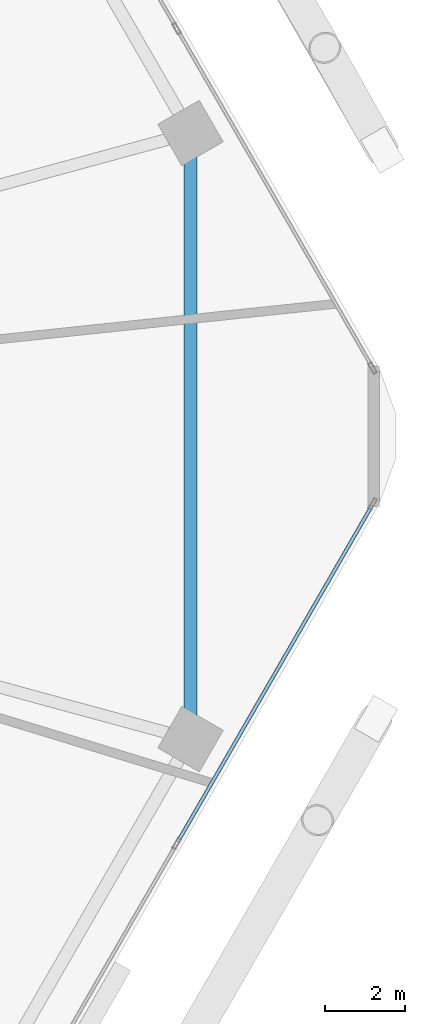
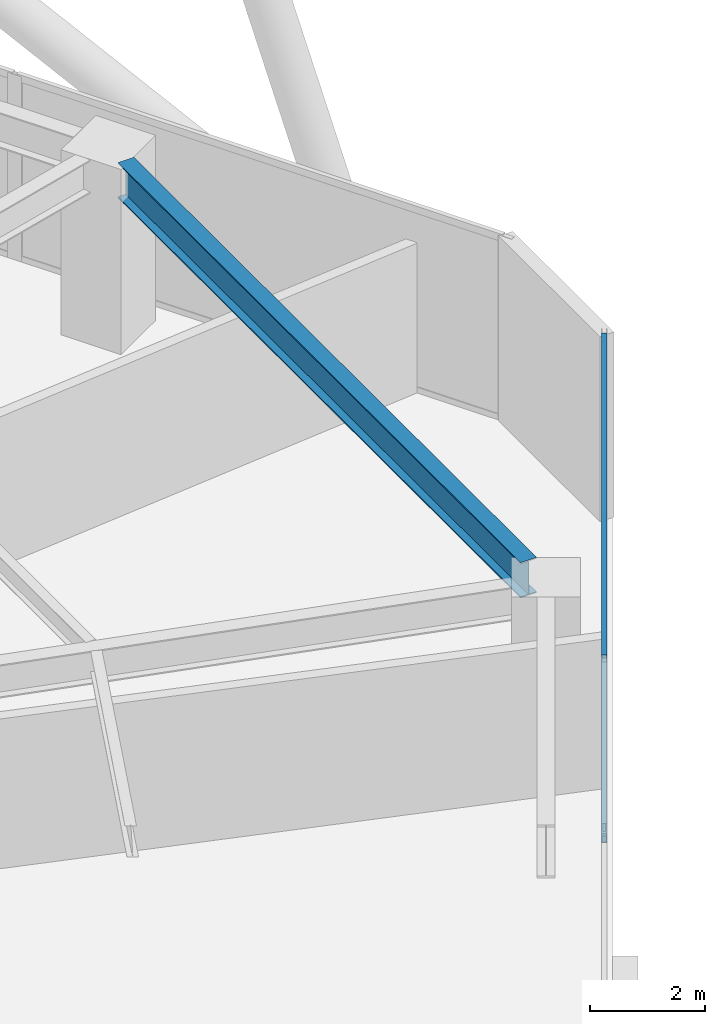
# One storey, part 12 of 30: 2 members, 1 beam, 1 element without a shape of its own.
"""IFC4 building model written with IfcOpenShell, lengths in metres."""

from ifc_helpers import new_model, si_unit, direction, frame, origin, origin_2d, place, context, subcontext, project, spatial, hollow_rectangle, i_section, extrude, material, material_profile, profile_set, type_object, element, aggregate, save


model = new_model("IFC4")

# Units and contexts
model_context = context("Model", 3, precision=1e-05, world=origin(), true_north=direction((0.0, 1.0)))
body_context = subcontext(model_context, "Body", "Model", "MODEL_VIEW")
ifc_project = project(units=[si_unit("LENGTHUNIT", "METRE"), si_unit("AREAUNIT", "SQUARE_METRE"), si_unit("VOLUMEUNIT", "CUBIC_METRE"), si_unit("PLANEANGLEUNIT", "RADIAN"), si_unit("MASSUNIT", "GRAM", prefix="KILO")], contexts=[model_context])

# Site, building, storey
site_placement = place(None, origin())
site = spatial("IfcSite", under=ifc_project, at=site_placement, CompositionType="ELEMENT")
building_placement = place(site_placement, origin())
building = spatial("IfcBuilding", under=site, at=building_placement, Name="Zuhravey Tower", CompositionType="ELEMENT")
storey_placement = place(building_placement, frame((0.0, 0.0, 58.199951171875)))
storey = spatial("IfcBuildingStorey", under=building, at=storey_placement, Name="L14", CompositionType="ELEMENT", Elevation=58.199951171875)

# Curtain wall, members
ifc_material_1 = material(Name="Thermally broken anodised aluminium", Category="aluminium")
curtain_wall_type = type_object("IfcCurtainWallType", Name="School Low-E Unitised Curtain Wall CW1", PredefinedType="NOTDEFINED", material=ifc_material_1)
curtain_wall_placement = place(storey_placement, origin())
curtain_wall = element("IfcCurtainWall", 1, at=curtain_wall_placement, inside=storey, type_object=curtain_wall_type, Name="L14 CW1 CW-L14-F6-1", PredefinedType="NOTDEFINED")
ifc_material_2 = material(Name="Anodised aluminium", Category="aluminium")
ifc_material_profile_1 = material_profile(ifc_material_2, hollow_rectangle(XDim=0.090087890625, YDim=0.14990234375, WallThickness=0.0048828125, at=origin_2d()), Name="ALU-RHS-90x150x5")
ifc_profile_set_1 = profile_set([ifc_material_profile_1], Name="Anodised aluminium")
member_type = type_object("IfcMemberType", Name="Curtain-Wall Transom 90x150", PredefinedType="USERDEFINED", material=ifc_profile_set_1)
member_1_placement = place(storey_placement, frame((68.43359375, 30.259521484375, 0.045166015625), z_axis=(-0.500008393077, -0.866020557985, 0.0), x_axis=(0.866020557985, -0.500008393077, 0.0)))
member_1 = element("IfcMember", 2, at=member_1_placement, type_object=member_type, Name="CW1 transom 1.1", ObjectType="TRANSOM", PredefinedType="USERDEFINED", context=body_context, shape_type="SweptSolid", body=[
    extrude(hollow_rectangle(XDim=0.090087890625, YDim=0.14990234375, WallThickness=0.0048828125, at=origin_2d()), origin(), (0.0, 0.0, 1.0), 9.731201171875),
])
member_2_placement = place(storey_placement, frame((68.43359375, 30.259521484375, 3.875), z_axis=(-0.500008393077, -0.866020557985, 0.0), x_axis=(0.866020557985, -0.500008393077, 0.0)))
member_2 = element("IfcMember", 3, at=member_2_placement, type_object=member_type, Name="CW1 transom 1.2", ObjectType="TRANSOM", PredefinedType="USERDEFINED", context=body_context, shape_type="SweptSolid", body=[
    extrude(hollow_rectangle(XDim=0.090087890625, YDim=0.14990234375, WallThickness=0.0048828125, at=origin_2d()), origin(), (0.0, 0.0, 1.0), 9.731201171875),
])
aggregate(curtain_wall, [member_1, member_2])

# Beam
ifc_material_3 = material(Name="Steel SM355", Category="steel")
ifc_material_profile_2 = material_profile(ifc_material_3, i_section(OverallWidth=0.320068359375, OverallDepth=0.75, WebThickness=0.013916015625, FlangeThickness=0.02490234375, at=origin_2d()), Name="H-750x320x14x25")
ifc_profile_set_2 = profile_set([ifc_material_profile_2], Name="Steel SM355")
beam_type = type_object("IfcBeamType", Name="Perimeter Ring Beam H750x320", PredefinedType="BEAM", material=ifc_profile_set_2)
beam_placement = place(storey_placement, frame((63.88916015625, 25.011474609375, 3.545166015625), z_axis=(0.0, 1.0, 0.0), x_axis=(-1.0, 0.0, 0.0)))
element("IfcBeam", 4, at=beam_placement, inside=storey, type_object=beam_type, Name="L14 PB1 BM-L14-PB-12", PredefinedType="BEAM", context=body_context, shape_type="SweptSolid", body=[
    extrude(i_section(OverallWidth=0.320068359375, OverallDepth=0.75, WebThickness=0.013916015625, FlangeThickness=0.02490234375, at=origin_2d()), origin(), (0.0, 0.0, 1.0), 13.97705078125),
])

save(model, "model.ifc")
